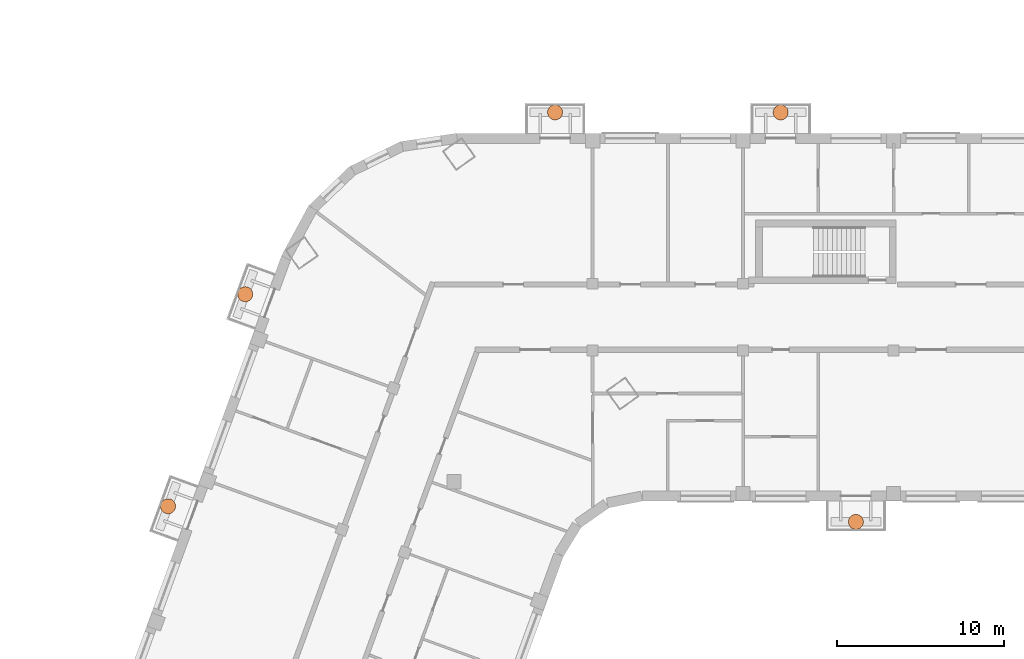
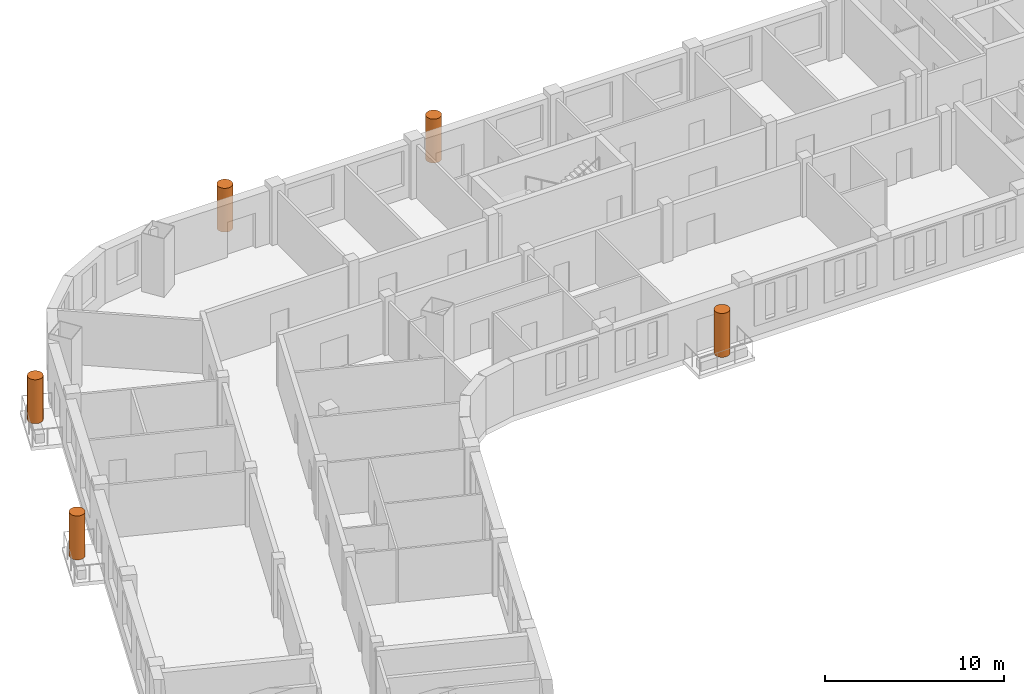
# One storey, part 13 of 13: 5 geographic elements.
"""IFC4 building model written with IfcOpenShell, lengths in metres."""

from ifc_helpers import new_model, si_unit, direction, frame, origin, origin_2d, place, context, subcontext, project, spatial, circle, extrude, element, save


model = new_model("IFC4")

# Units and contexts
model_context = context("Model", 3, precision=1e-05, world=origin(), true_north=direction((0.0, 1.0)))
body_context = subcontext(model_context, "Body", "Model", "MODEL_VIEW")
ifc_project = project(units=[si_unit("LENGTHUNIT", "METRE"), si_unit("AREAUNIT", "SQUARE_METRE"), si_unit("VOLUMEUNIT", "CUBIC_METRE"), si_unit("PLANEANGLEUNIT", "RADIAN"), si_unit("MASSUNIT", "GRAM", prefix="KILO")], contexts=[model_context])

# Site, building, storey
site_placement = place(None, origin())
site = spatial("IfcSite", under=ifc_project, at=site_placement, CompositionType="ELEMENT")
building_placement = place(site_placement, origin())
building = spatial("IfcBuilding", under=site, at=building_placement, Name="Skarvind Civic Tower", CompositionType="ELEMENT")
storey_placement = place(building_placement, frame((0.0, 0.0, 93.0)))
storey = spatial("IfcBuildingStorey", under=building, at=storey_placement, Name="L21", CompositionType="ELEMENT", Elevation=93.0)

# Geographic elements
for number, where, z_axis, x_axis, name in (
    (1, (70.0, 115.75, 0.60009765625), (0.0, 0.0, 1.0), (1.0, 0.0, 0.0), "TREE BALCONY TREE"),
    (2, (52.0, 140.25, 0.60009765625), (0.0, 0.0, 1.0), (1.0, 0.0, 0.0), "TREE BALCONY TREE"),
    (3, (65.5, 140.25, 0.60009765625), (0.0, 0.0, 1.0), (1.0, 0.0, 0.0), "TREE BALCONY TREE"),
    (4, (28.845458984375, 116.684814453125, 0.60009765625), (0.0, 0.0, 1.0), (1.0, 0.0, 0.0), "TREE BALCONY TREE"),
    (5, (33.462646484375, 129.37060546875, 0.60009765625), (0.0, 0.0, 1.0), (1.0, 0.0, 0.0), "TREE BALCONY TREE"),
):
    element("IfcGeographicElement", number, at=place(storey_placement, frame(where, z_axis=z_axis, x_axis=x_axis)), inside=storey, Name=name, ObjectType="TREE", PredefinedType="USERDEFINED", context=body_context, shape_type="SweptSolid", body=[
        extrude(circle(Radius=0.449951171875, at=origin_2d()), origin(), (0.0, 0.0, 1.0), 3.0),
    ])

save(model, "model.ifc")
